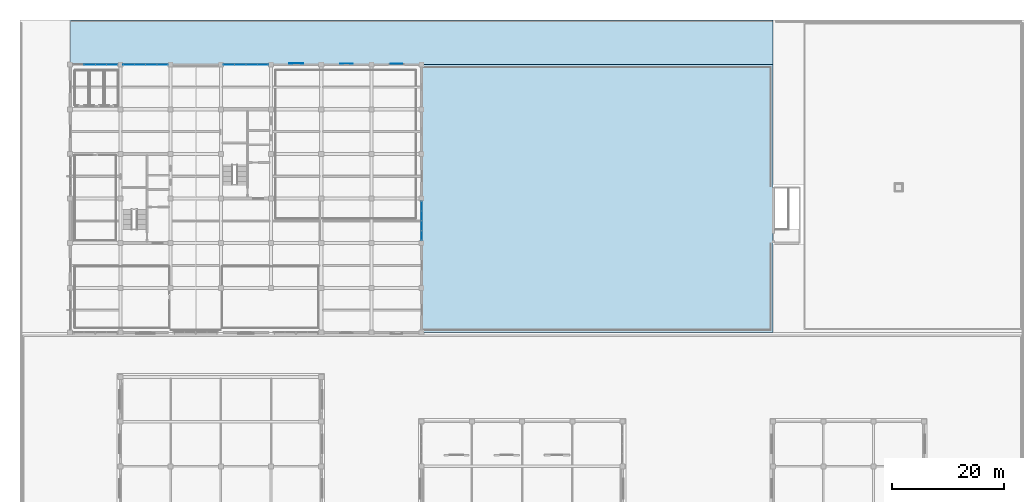
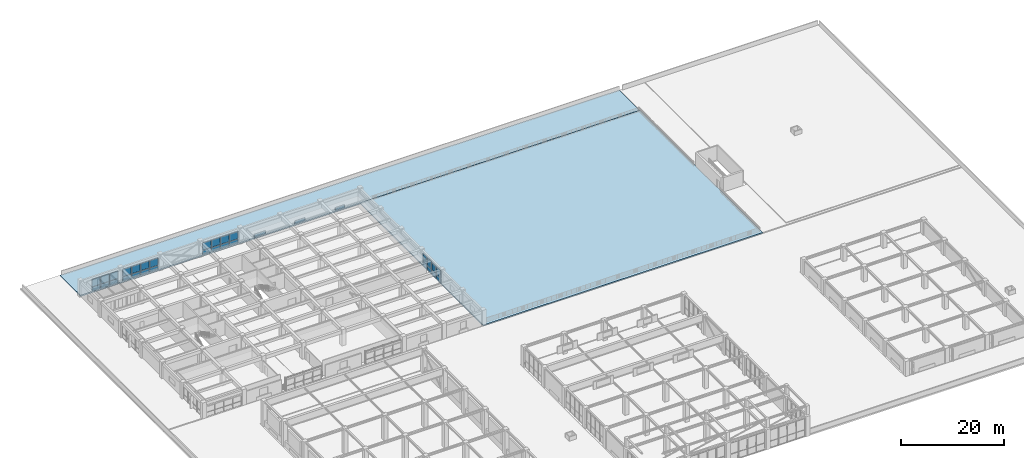
# One storey, part 17 of 34: 33 plates, 2 slabs, 4 elements without a shape of their own.
"""IFC4 building model written with IfcOpenShell, lengths in metres."""

from ifc_helpers import new_model, si_unit, direction, frame, frame_2d, origin, place, context, subcontext, project, spatial, polyline, rectangle, outline, extrude, material, layer, layer_set, type_object, element, aggregate, save


model = new_model("IFC4")

# Units and contexts
model_context = context("Model", 3, precision=1e-05, world=origin(), true_north=direction((0.0, 1.0)))
body_context = subcontext(model_context, "Body", "Model", "MODEL_VIEW")
ifc_project = project(units=[si_unit("LENGTHUNIT", "METRE"), si_unit("AREAUNIT", "SQUARE_METRE"), si_unit("VOLUMEUNIT", "CUBIC_METRE"), si_unit("PLANEANGLEUNIT", "RADIAN"), si_unit("MASSUNIT", "GRAM", prefix="KILO")], contexts=[model_context])

# Site, building, storey
site_placement = place(None, origin())
site = spatial("IfcSite", under=ifc_project, at=site_placement, CompositionType="ELEMENT")
building_placement = place(site_placement, origin())
building = spatial("IfcBuilding", under=site, at=building_placement, Name="Zaverband Oceanarium and Marine Research Institute", CompositionType="ELEMENT")
storey_placement = place(building_placement, frame((0.0, 0.0, 18.0)))
storey = spatial("IfcBuildingStorey", under=building, at=storey_placement, Name="L04", CompositionType="ELEMENT", Elevation=18.0)

# Curtain wall, plates
ifc_material_1 = material(Name="Thermally broken anodized aluminium and solar-control glass", Category="aluminium")
curtain_wall_type = type_object("IfcCurtainWallType", Name="CW-UNIT-1800", PredefinedType="NOTDEFINED", material=ifc_material_1)
curtain_wall_1_placement = place(storey_placement, origin())
curtain_wall_1 = element("IfcCurtainWall", 1, at=curtain_wall_1_placement, inside=storey, type_object=curtain_wall_type, Name="Unitised glazed curtain wall CW-066", PredefinedType="NOTDEFINED")
ifc_material_2 = material(Name="Low-E double-glazed solar-control glass", Category="glass")
ifc_layer_1 = layer(ifc_material_2, 0.033935546875, Name="Low-E double-glazed solar-control glass")
ifc_layer_set_1 = layer_set([ifc_layer_1], Name="Low-E double-glazed solar-control glass")
plate_type_1 = type_object("IfcPlateType", Name="CWP-1570x1043", PredefinedType="CURTAIN_PANEL", material=ifc_layer_set_1)
plate_1_placement = place(storey_placement, frame((72.0, 80.534912109375, 0.050048828125), z_axis=(0.0, 0.0, 1.0), x_axis=(0.0, 1.0, 0.0)))
plate_1 = element("IfcPlate", 2, at=plate_1_placement, type_object=plate_type_1, Name="Glazed curtain wall panel CWP-1570x1043", PredefinedType="CURTAIN_PANEL", context=body_context, shape_type="SweptSolid", body=[
    extrude(rectangle(XDim=1.612548828125, YDim=0.033935546875, at=frame_2d((0.80615234375, 0.0))), origin(), (0.0, 0.0, 1.0), 1.04296875),
])
plate_2_placement = place(storey_placement, frame((72.0, 82.3076171875, 0.050048828125), z_axis=(0.0, 0.0, 1.0), x_axis=(0.0, 1.0, 0.0)))
plate_2 = element("IfcPlate", 3, at=plate_2_placement, type_object=plate_type_1, Name="Glazed curtain wall panel CWP-1570x1043", PredefinedType="CURTAIN_PANEL", context=body_context, shape_type="SweptSolid", body=[
    extrude(rectangle(XDim=1.6123046875, YDim=0.033935546875, at=frame_2d((0.80615234375, 0.0))), origin(), (0.0, 0.0, 1.0), 1.04296875),
])
plate_3_placement = place(storey_placement, frame((72.0, 84.080078125, 0.050048828125), z_axis=(0.0, 0.0, 1.0), x_axis=(0.0, 1.0, 0.0)))
plate_3 = element("IfcPlate", 4, at=plate_3_placement, type_object=plate_type_1, Name="Glazed curtain wall panel CWP-1570x1043", PredefinedType="CURTAIN_PANEL", context=body_context, shape_type="SweptSolid", body=[
    extrude(rectangle(XDim=1.6123046875, YDim=0.033935546875, at=frame_2d((0.80615234375, 0.0))), origin(), (0.0, 0.0, 1.0), 1.04296875),
])
plate_4_placement = place(storey_placement, frame((72.0, 85.8525390625, 0.050048828125), z_axis=(0.0, 0.0, 1.0), x_axis=(0.0, 1.0, 0.0)))
plate_4 = element("IfcPlate", 5, at=plate_4_placement, type_object=plate_type_1, Name="Glazed curtain wall panel CWP-1570x1043", PredefinedType="CURTAIN_PANEL", context=body_context, shape_type="SweptSolid", body=[
    extrude(rectangle(XDim=1.612548828125, YDim=0.033935546875, at=frame_2d((0.80615234375, 0.0))), origin(), (0.0, 0.0, 1.0), 1.04296875),
])
ifc_layer_2 = layer(ifc_material_2, 0.035888671875, Name="Low-E double-glazed solar-control glass")
ifc_layer_set_2 = layer_set([ifc_layer_2], Name="Low-E double-glazed solar-control glass")
plate_type_2 = type_object("IfcPlateType", Name="CWP-1570x1777", PredefinedType="CURTAIN_PANEL", material=ifc_layer_set_2)
plate_5_placement = place(storey_placement, frame((72.0, 80.534912109375, 1.1630859375), z_axis=(0.0, 0.0, 1.0), x_axis=(0.0, 1.0, 0.0)))
plate_5 = element("IfcPlate", 6, at=plate_5_placement, type_object=plate_type_2, Name="Glazed curtain wall panel CWP-1570x1777", PredefinedType="CURTAIN_PANEL", context=body_context, shape_type="SweptSolid", body=[
    extrude(rectangle(XDim=1.612548828125, YDim=0.035888671875, at=frame_2d((0.80615234375, 0.0))), origin(), (0.0, 0.0, 1.0), 1.77685546875),
])
plate_6_placement = place(storey_placement, frame((72.0, 82.3076171875, 1.1630859375), z_axis=(0.0, 0.0, 1.0), x_axis=(0.0, 1.0, 0.0)))
plate_6 = element("IfcPlate", 7, at=plate_6_placement, type_object=plate_type_2, Name="Glazed curtain wall panel CWP-1570x1777", PredefinedType="CURTAIN_PANEL", context=body_context, shape_type="SweptSolid", body=[
    extrude(rectangle(XDim=1.6123046875, YDim=0.035888671875, at=frame_2d((0.80615234375, 0.0))), origin(), (0.0, 0.0, 1.0), 1.77685546875),
])
plate_7_placement = place(storey_placement, frame((72.0, 84.080078125, 1.1630859375), z_axis=(0.0, 0.0, 1.0), x_axis=(0.0, 1.0, 0.0)))
plate_7 = element("IfcPlate", 8, at=plate_7_placement, type_object=plate_type_2, Name="Glazed curtain wall panel CWP-1570x1777", PredefinedType="CURTAIN_PANEL", context=body_context, shape_type="SweptSolid", body=[
    extrude(rectangle(XDim=1.6123046875, YDim=0.035888671875, at=frame_2d((0.80615234375, 0.0))), origin(), (0.0, 0.0, 1.0), 1.77685546875),
])
plate_8_placement = place(storey_placement, frame((72.0, 85.8525390625, 1.1630859375), z_axis=(0.0, 0.0, 1.0), x_axis=(0.0, 1.0, 0.0)))
plate_8 = element("IfcPlate", 9, at=plate_8_placement, type_object=plate_type_2, Name="Glazed curtain wall panel CWP-1570x1777", PredefinedType="CURTAIN_PANEL", context=body_context, shape_type="SweptSolid", body=[
    extrude(rectangle(XDim=1.612548828125, YDim=0.035888671875, at=frame_2d((0.80615234375, 0.0))), origin(), (0.0, 0.0, 1.0), 1.77685546875),
])
aggregate(curtain_wall_1, [plate_1, plate_5, plate_2, plate_6, plate_3, plate_7, plate_4, plate_8])

curtain_wall_2_placement = place(storey_placement, origin())
curtain_wall_2 = element("IfcCurtainWall", 10, at=curtain_wall_2_placement, inside=storey, type_object=curtain_wall_type, Name="Unitised glazed curtain wall CW-061", PredefinedType="NOTDEFINED")
ifc_layer_3 = layer(ifc_material_2, 0.033935546875, Name="Low-E double-glazed solar-control glass")
ifc_layer_set_3 = layer_set([ifc_layer_3], Name="Low-E double-glazed solar-control glass")
plate_type_3 = type_object("IfcPlateType", Name="CWP-1820x1043", PredefinedType="CURTAIN_PANEL", material=ifc_layer_set_3)
plate_9_placement = place(storey_placement, frame((11.5576171875, 112.0, 0.050048828125), z_axis=(0.0, 0.0, 1.0), x_axis=(1.0, 0.0, 0.0)))
plate_9 = element("IfcPlate", 11, at=plate_9_placement, type_object=plate_type_3, Name="Glazed curtain wall panel CWP-1820x1043", PredefinedType="CURTAIN_PANEL", context=body_context, shape_type="SweptSolid", body=[
    extrude(rectangle(XDim=1.8623046875, YDim=0.033935546875, at=frame_2d((0.93115234375, 0.0))), origin(), (0.0, 0.0, 1.0), 1.04296875),
])
plate_10_placement = place(storey_placement, frame((13.580078125, 112.0, 0.050048828125), z_axis=(0.0, 0.0, 1.0), x_axis=(1.0, 0.0, 0.0)))
plate_10 = element("IfcPlate", 12, at=plate_10_placement, type_object=plate_type_3, Name="Glazed curtain wall panel CWP-1820x1043", PredefinedType="CURTAIN_PANEL", context=body_context, shape_type="SweptSolid", body=[
    extrude(rectangle(XDim=1.8623046875, YDim=0.033935546875, at=frame_2d((0.93115234375, 0.0))), origin(), (0.0, 0.0, 1.0), 1.04296875),
])
plate_11_placement = place(storey_placement, frame((15.6025390625, 112.0, 0.050048828125), z_axis=(0.0, 0.0, 1.0), x_axis=(1.0, 0.0, 0.0)))
plate_11 = element("IfcPlate", 13, at=plate_11_placement, type_object=plate_type_3, Name="Glazed curtain wall panel CWP-1820x1043", PredefinedType="CURTAIN_PANEL", context=body_context, shape_type="SweptSolid", body=[
    extrude(rectangle(XDim=1.862548828125, YDim=0.033935546875, at=frame_2d((0.93115234375, 0.0))), origin(), (0.0, 0.0, 1.0), 1.04296875),
])

curtain_wall_3_placement = place(storey_placement, origin())
curtain_wall_3 = element("IfcCurtainWall", 14, at=curtain_wall_3_placement, inside=storey, type_object=curtain_wall_type, Name="Unitised glazed curtain wall CW-062", PredefinedType="NOTDEFINED")
plate_12_placement = place(storey_placement, frame((18.534912109375, 112.0, 0.050048828125), z_axis=(0.0, 0.0, 1.0), x_axis=(1.0, 0.0, 0.0)))
plate_12 = element("IfcPlate", 15, at=plate_12_placement, type_object=plate_type_3, Name="Glazed curtain wall panel CWP-1820x1043", PredefinedType="CURTAIN_PANEL", context=body_context, shape_type="SweptSolid", body=[
    extrude(rectangle(XDim=1.862548828125, YDim=0.033935546875, at=frame_2d((0.93115234375, 0.0))), origin(), (0.0, 0.0, 1.0), 1.04296875),
])
plate_13_placement = place(storey_placement, frame((20.5576171875, 112.0, 0.050048828125), z_axis=(0.0, 0.0, 1.0), x_axis=(1.0, 0.0, 0.0)))
plate_13 = element("IfcPlate", 16, at=plate_13_placement, type_object=plate_type_3, Name="Glazed curtain wall panel CWP-1820x1043", PredefinedType="CURTAIN_PANEL", context=body_context, shape_type="SweptSolid", body=[
    extrude(rectangle(XDim=1.8623046875, YDim=0.033935546875, at=frame_2d((0.93115234375, 0.0))), origin(), (0.0, 0.0, 1.0), 1.04296875),
])
plate_14_placement = place(storey_placement, frame((22.580078125, 112.0, 0.050048828125), z_axis=(0.0, 0.0, 1.0), x_axis=(1.0, 0.0, 0.0)))
plate_14 = element("IfcPlate", 17, at=plate_14_placement, type_object=plate_type_3, Name="Glazed curtain wall panel CWP-1820x1043", PredefinedType="CURTAIN_PANEL", context=body_context, shape_type="SweptSolid", body=[
    extrude(rectangle(XDim=1.8623046875, YDim=0.033935546875, at=frame_2d((0.93115234375, 0.0))), origin(), (0.0, 0.0, 1.0), 1.04296875),
])
plate_15_placement = place(storey_placement, frame((24.6025390625, 112.0, 0.050048828125), z_axis=(0.0, 0.0, 1.0), x_axis=(1.0, 0.0, 0.0)))
plate_15 = element("IfcPlate", 18, at=plate_15_placement, type_object=plate_type_3, Name="Glazed curtain wall panel CWP-1820x1043", PredefinedType="CURTAIN_PANEL", context=body_context, shape_type="SweptSolid", body=[
    extrude(rectangle(XDim=1.862548828125, YDim=0.033935546875, at=frame_2d((0.93115234375, 0.0))), origin(), (0.0, 0.0, 1.0), 1.04296875),
])

curtain_wall_4_placement = place(storey_placement, origin())
curtain_wall_4 = element("IfcCurtainWall", 19, at=curtain_wall_4_placement, inside=storey, type_object=curtain_wall_type, Name="Unitised glazed curtain wall CW-063", PredefinedType="NOTDEFINED")
plate_16_placement = place(storey_placement, frame((36.534912109375, 112.0, 0.050048828125), z_axis=(0.0, 0.0, 1.0), x_axis=(1.0, 0.0, 0.0)))
plate_16 = element("IfcPlate", 20, at=plate_16_placement, type_object=plate_type_3, Name="Glazed curtain wall panel CWP-1820x1043", PredefinedType="CURTAIN_PANEL", context=body_context, shape_type="SweptSolid", body=[
    extrude(rectangle(XDim=1.862548828125, YDim=0.033935546875, at=frame_2d((0.93115234375, 0.0))), origin(), (0.0, 0.0, 1.0), 1.04296875),
])
plate_17_placement = place(storey_placement, frame((38.5576171875, 112.0, 0.050048828125), z_axis=(0.0, 0.0, 1.0), x_axis=(1.0, 0.0, 0.0)))
plate_17 = element("IfcPlate", 21, at=plate_17_placement, type_object=plate_type_3, Name="Glazed curtain wall panel CWP-1820x1043", PredefinedType="CURTAIN_PANEL", context=body_context, shape_type="SweptSolid", body=[
    extrude(rectangle(XDim=1.8623046875, YDim=0.033935546875, at=frame_2d((0.93115234375, 0.0))), origin(), (0.0, 0.0, 1.0), 1.04296875),
])
plate_18_placement = place(storey_placement, frame((40.580078125, 112.0, 0.050048828125), z_axis=(0.0, 0.0, 1.0), x_axis=(1.0, 0.0, 0.0)))
plate_18 = element("IfcPlate", 22, at=plate_18_placement, type_object=plate_type_3, Name="Glazed curtain wall panel CWP-1820x1043", PredefinedType="CURTAIN_PANEL", context=body_context, shape_type="SweptSolid", body=[
    extrude(rectangle(XDim=1.8623046875, YDim=0.033935546875, at=frame_2d((0.93115234375, 0.0))), origin(), (0.0, 0.0, 1.0), 1.04296875),
])
plate_19_placement = place(storey_placement, frame((42.6025390625, 112.0, 0.050048828125), z_axis=(0.0, 0.0, 1.0), x_axis=(1.0, 0.0, 0.0)))
plate_19 = element("IfcPlate", 23, at=plate_19_placement, type_object=plate_type_3, Name="Glazed curtain wall panel CWP-1820x1043", PredefinedType="CURTAIN_PANEL", context=body_context, shape_type="SweptSolid", body=[
    extrude(rectangle(XDim=1.862548828125, YDim=0.033935546875, at=frame_2d((0.93115234375, 0.0))), origin(), (0.0, 0.0, 1.0), 1.04296875),
])

# Plate
ifc_layer_4 = layer(ifc_material_2, 0.035888671875, Name="Low-E double-glazed solar-control glass")
ifc_layer_set_4 = layer_set([ifc_layer_4], Name="Low-E double-glazed solar-control glass")
plate_type_4 = type_object("IfcPlateType", Name="CWP-1820x1777", PredefinedType="CURTAIN_PANEL", material=ifc_layer_set_4)
plate_20_placement = place(storey_placement, frame((11.5576171875, 112.0, 1.1630859375), z_axis=(0.0, 0.0, 1.0), x_axis=(1.0, 0.0, 0.0)))
plate_20 = element("IfcPlate", 24, at=plate_20_placement, type_object=plate_type_4, Name="Glazed curtain wall panel CWP-1820x1777", PredefinedType="CURTAIN_PANEL", context=body_context, shape_type="SweptSolid", body=[
    extrude(rectangle(XDim=1.8623046875, YDim=0.035888671875, at=frame_2d((0.93115234375, 0.0))), origin(), (0.0, 0.0, 1.0), 1.77685546875),
])

plate_21_placement = place(storey_placement, frame((13.580078125, 112.0, 1.1630859375), z_axis=(0.0, 0.0, 1.0), x_axis=(1.0, 0.0, 0.0)))
plate_21 = element("IfcPlate", 25, at=plate_21_placement, type_object=plate_type_4, Name="Glazed curtain wall panel CWP-1820x1777", PredefinedType="CURTAIN_PANEL", context=body_context, shape_type="SweptSolid", body=[
    extrude(rectangle(XDim=1.8623046875, YDim=0.035888671875, at=frame_2d((0.93115234375, 0.0))), origin(), (0.0, 0.0, 1.0), 1.77685546875),
])

plate_22_placement = place(storey_placement, frame((15.6025390625, 112.0, 1.1630859375), z_axis=(0.0, 0.0, 1.0), x_axis=(1.0, 0.0, 0.0)))
plate_22 = element("IfcPlate", 26, at=plate_22_placement, type_object=plate_type_4, Name="Glazed curtain wall panel CWP-1820x1777", PredefinedType="CURTAIN_PANEL", context=body_context, shape_type="SweptSolid", body=[
    extrude(rectangle(XDim=1.862548828125, YDim=0.035888671875, at=frame_2d((0.93115234375, 0.0))), origin(), (0.0, 0.0, 1.0), 1.77685546875),
])

aggregate(curtain_wall_2, [plate_9, plate_20, plate_10, plate_21, plate_11, plate_22])

plate_23_placement = place(storey_placement, frame((18.534912109375, 112.0, 1.1630859375), z_axis=(0.0, 0.0, 1.0), x_axis=(1.0, 0.0, 0.0)))
plate_23 = element("IfcPlate", 27, at=plate_23_placement, type_object=plate_type_4, Name="Glazed curtain wall panel CWP-1820x1777", PredefinedType="CURTAIN_PANEL", context=body_context, shape_type="SweptSolid", body=[
    extrude(rectangle(XDim=1.862548828125, YDim=0.035888671875, at=frame_2d((0.93115234375, 0.0))), origin(), (0.0, 0.0, 1.0), 1.77685546875),
])

plate_24_placement = place(storey_placement, frame((20.5576171875, 112.0, 1.1630859375), z_axis=(0.0, 0.0, 1.0), x_axis=(1.0, 0.0, 0.0)))
plate_24 = element("IfcPlate", 28, at=plate_24_placement, type_object=plate_type_4, Name="Glazed curtain wall panel CWP-1820x1777", PredefinedType="CURTAIN_PANEL", context=body_context, shape_type="SweptSolid", body=[
    extrude(rectangle(XDim=1.8623046875, YDim=0.035888671875, at=frame_2d((0.93115234375, 0.0))), origin(), (0.0, 0.0, 1.0), 1.77685546875),
])

plate_25_placement = place(storey_placement, frame((22.580078125, 112.0, 1.1630859375), z_axis=(0.0, 0.0, 1.0), x_axis=(1.0, 0.0, 0.0)))
plate_25 = element("IfcPlate", 29, at=plate_25_placement, type_object=plate_type_4, Name="Glazed curtain wall panel CWP-1820x1777", PredefinedType="CURTAIN_PANEL", context=body_context, shape_type="SweptSolid", body=[
    extrude(rectangle(XDim=1.8623046875, YDim=0.035888671875, at=frame_2d((0.93115234375, 0.0))), origin(), (0.0, 0.0, 1.0), 1.77685546875),
])

plate_26_placement = place(storey_placement, frame((24.6025390625, 112.0, 1.1630859375), z_axis=(0.0, 0.0, 1.0), x_axis=(1.0, 0.0, 0.0)))
plate_26 = element("IfcPlate", 30, at=plate_26_placement, type_object=plate_type_4, Name="Glazed curtain wall panel CWP-1820x1777", PredefinedType="CURTAIN_PANEL", context=body_context, shape_type="SweptSolid", body=[
    extrude(rectangle(XDim=1.862548828125, YDim=0.035888671875, at=frame_2d((0.93115234375, 0.0))), origin(), (0.0, 0.0, 1.0), 1.77685546875),
])

aggregate(curtain_wall_3, [plate_12, plate_23, plate_13, plate_24, plate_14, plate_25, plate_15, plate_26])

plate_27_placement = place(storey_placement, frame((36.534912109375, 112.0, 1.1630859375), z_axis=(0.0, 0.0, 1.0), x_axis=(1.0, 0.0, 0.0)))
plate_27 = element("IfcPlate", 31, at=plate_27_placement, type_object=plate_type_4, Name="Glazed curtain wall panel CWP-1820x1777", PredefinedType="CURTAIN_PANEL", context=body_context, shape_type="SweptSolid", body=[
    extrude(rectangle(XDim=1.862548828125, YDim=0.035888671875, at=frame_2d((0.93115234375, 0.0))), origin(), (0.0, 0.0, 1.0), 1.77685546875),
])

plate_28_placement = place(storey_placement, frame((38.5576171875, 112.0, 1.1630859375), z_axis=(0.0, 0.0, 1.0), x_axis=(1.0, 0.0, 0.0)))
plate_28 = element("IfcPlate", 32, at=plate_28_placement, type_object=plate_type_4, Name="Glazed curtain wall panel CWP-1820x1777", PredefinedType="CURTAIN_PANEL", context=body_context, shape_type="SweptSolid", body=[
    extrude(rectangle(XDim=1.8623046875, YDim=0.035888671875, at=frame_2d((0.93115234375, 0.0))), origin(), (0.0, 0.0, 1.0), 1.77685546875),
])

plate_29_placement = place(storey_placement, frame((40.580078125, 112.0, 1.1630859375), z_axis=(0.0, 0.0, 1.0), x_axis=(1.0, 0.0, 0.0)))
plate_29 = element("IfcPlate", 33, at=plate_29_placement, type_object=plate_type_4, Name="Glazed curtain wall panel CWP-1820x1777", PredefinedType="CURTAIN_PANEL", context=body_context, shape_type="SweptSolid", body=[
    extrude(rectangle(XDim=1.8623046875, YDim=0.035888671875, at=frame_2d((0.93115234375, 0.0))), origin(), (0.0, 0.0, 1.0), 1.77685546875),
])

plate_30_placement = place(storey_placement, frame((42.6025390625, 112.0, 1.1630859375), z_axis=(0.0, 0.0, 1.0), x_axis=(1.0, 0.0, 0.0)))
plate_30 = element("IfcPlate", 34, at=plate_30_placement, type_object=plate_type_4, Name="Glazed curtain wall panel CWP-1820x1777", PredefinedType="CURTAIN_PANEL", context=body_context, shape_type="SweptSolid", body=[
    extrude(rectangle(XDim=1.862548828125, YDim=0.035888671875, at=frame_2d((0.93115234375, 0.0))), origin(), (0.0, 0.0, 1.0), 1.77685546875),
])

aggregate(curtain_wall_4, [plate_16, plate_27, plate_17, plate_28, plate_18, plate_29, plate_19, plate_30])

# Plates
ifc_material_3 = material(Name="Concrete C40/50 precast ochre", Category="concrete")
ifc_layer_5 = layer(ifc_material_3, 0.070068359375, Name="Concrete C40/50 precast ochre")
ifc_layer_set_5 = layer_set([ifc_layer_5], Name="Concrete C40/50 precast ochre")
plate_type_5 = type_object("IfcPlateType", Name="FRP-2000x720", PredefinedType="USERDEFINED", material=ifc_layer_set_5)
plate_31_placement = place(storey_placement, frame((66.5, 112.1650390625, 0.0), z_axis=(0.0, 0.0, 1.0), x_axis=(1.0, 0.0, 0.0)))
element("IfcPlate", 35, at=plate_31_placement, inside=storey, type_object=plate_type_5, Name="Geometric precast facade cladding panel FRP-2000x720", ObjectType="FLANGE_PLATE", PredefinedType="USERDEFINED", context=body_context, shape_type="SweptSolid", body=[
    extrude(rectangle(XDim=2.0, YDim=0.070068359375, at=frame_2d((1.0, 0.0))), origin(), (0.0, 0.0, 1.0), 0.719970703125),
])
ifc_layer_6 = layer(ifc_material_3, 0.074951171875, Name="Concrete C40/50 precast ochre")
ifc_layer_set_6 = layer_set([ifc_layer_6], Name="Concrete C40/50 precast ochre")
plate_type_6 = type_object("IfcPlateType", Name="FRP-2250x740", PredefinedType="USERDEFINED", material=ifc_layer_set_6)
plate_32_placement = place(storey_placement, frame((57.375, 112.155029296875, 0.0), z_axis=(0.0, 0.0, 1.0), x_axis=(1.0, 0.0, 0.0)))
element("IfcPlate", 36, at=plate_32_placement, inside=storey, type_object=plate_type_6, Name="Geometric precast facade cladding panel FRP-2250x740", ObjectType="FLANGE_PLATE", PredefinedType="USERDEFINED", context=body_context, shape_type="SweptSolid", body=[
    extrude(rectangle(XDim=2.25, YDim=0.074951171875, at=frame_2d((1.125, 0.0))), origin(), (0.0, 0.0, 1.0), 0.739990234375),
])
ifc_layer_7 = layer(ifc_material_3, 0.074951171875, Name="Concrete C40/50 precast ochre")
ifc_layer_set_7 = layer_set([ifc_layer_7], Name="Concrete C40/50 precast ochre")
plate_type_7 = type_object("IfcPlateType", Name="FRP-2500x750", PredefinedType="USERDEFINED", material=ifc_layer_set_7)
plate_33_placement = place(storey_placement, frame((48.25, 112.16748046875, 0.0), z_axis=(0.0, 0.0, 1.0), x_axis=(1.0, 0.0, 0.0)))
element("IfcPlate", 37, at=plate_33_placement, inside=storey, type_object=plate_type_7, Name="Geometric precast facade cladding panel FRP-2500x750", ObjectType="FLANGE_PLATE", PredefinedType="USERDEFINED", context=body_context, shape_type="SweptSolid", body=[
    extrude(rectangle(XDim=2.5, YDim=0.074951171875, at=frame_2d((1.25, 0.0))), origin(), (0.0, 0.0, 1.0), 0.75),
])

# Slabs
ifc_material_4 = material(Name="Concrete C40/50", Category="concrete")
ifc_layer_8 = layer(ifc_material_4, 0.300048828125, Name="Concrete C40/50")
ifc_layer_set_8 = layer_set([ifc_layer_8], Name="Concrete C40/50")
slab_type_1 = type_object("IfcSlabType", Name="SLB-ROOF-300", PredefinedType="ROOF", material=ifc_layer_set_8)
slab_1_placement = place(storey_placement, frame((0.0, 0.0, -0.300048828125)))
element("IfcSlab", 38, at=slab_1_placement, inside=storey, type_object=slab_type_1, Name="Roof deck slab SLB-ROOF-300", PredefinedType="ROOF", context=body_context, shape_type="SweptSolid", body=[
    extrude(outline(polyline([(9.014892578125, 120.0), (134.985107421875, 120.0), (134.985107421875, 112.014892578125), (9.014892578125, 112.014892578125), (9.014892578125, 120.0)])), origin(), (0.0, 0.0, 1.0), 0.300048828125),
])
ifc_layer_9 = layer(ifc_material_4, 0.27001953125, Name="Concrete C40/50")
ifc_layer_set_9 = layer_set([ifc_layer_9], Name="Concrete C40/50")
slab_type_2 = type_object("IfcSlabType", Name="SLB-TER-270", PredefinedType="FLOOR", material=ifc_layer_set_9)
slab_2_placement = place(storey_placement, frame((0.0, 0.0, -0.27001953125)))
element("IfcSlab", 39, at=slab_2_placement, inside=storey, type_object=slab_type_2, Name="Exterior terrace / balcony deck SLB-TER-270", PredefinedType="FLOOR", context=body_context, shape_type="SweptSolid", body=[
    extrude(outline(polyline([(72.014892578125, 64.0), (135.0, 64.0), (135.0, 112.0), (72.014892578125, 112.0), (72.014892578125, 64.0)])), origin(), (0.0, 0.0, 1.0), 0.27001953125),
])

save(model, "model.ifc")
